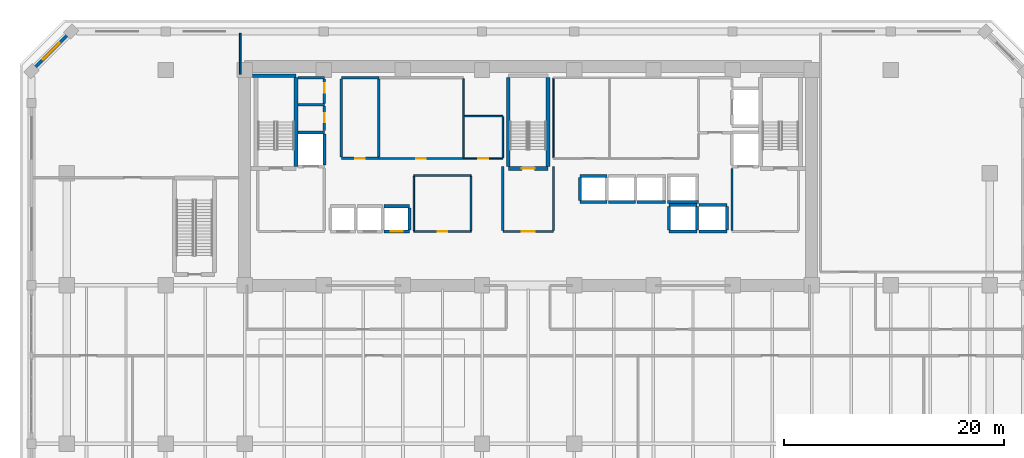
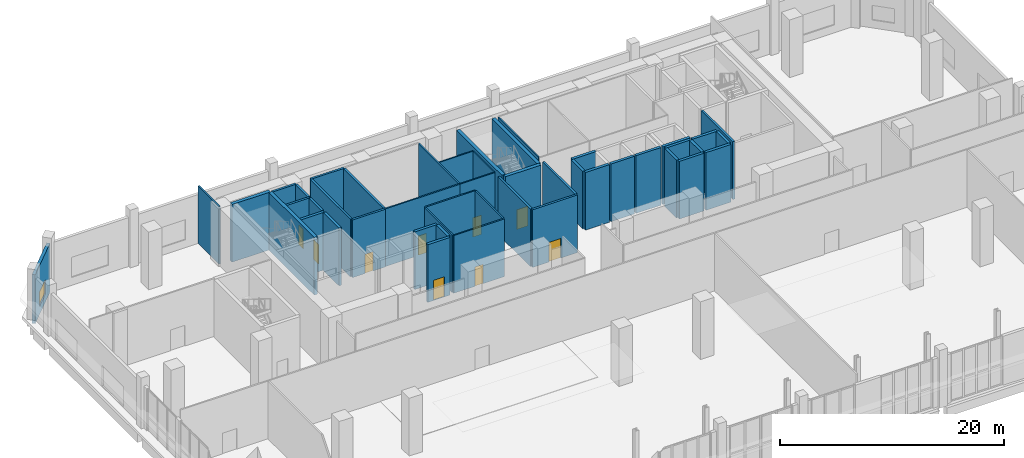
# One storey, part 22 of 29: 47 walls, 9 doors, 1 window, 10 openings.
"""IFC4 building model written with IfcOpenShell, lengths in metres."""

from ifc_helpers import new_model, si_unit, direction, frame, frame_2d, origin, place, context, subcontext, project, spatial, rectangle, extrude, material, layer, layer_set, type_object, element, fill, save


model = new_model("IFC4")

# Units and contexts
model_context = context("Model", 3, precision=1e-05, world=origin(), true_north=direction((0.0, 1.0)))
body_context = subcontext(model_context, "Body", "Model", "MODEL_VIEW")
ifc_project = project(units=[si_unit("LENGTHUNIT", "METRE"), si_unit("AREAUNIT", "SQUARE_METRE"), si_unit("VOLUMEUNIT", "CUBIC_METRE"), si_unit("PLANEANGLEUNIT", "RADIAN"), si_unit("MASSUNIT", "GRAM", prefix="KILO")], contexts=[model_context])

# Site, building, storey
site_placement = place(None, origin())
site = spatial("IfcSite", under=ifc_project, at=site_placement, CompositionType="ELEMENT")
building_placement = place(site_placement, origin())
building = spatial("IfcBuilding", under=site, at=building_placement, Name="Kaelvorn Grand Hotel", CompositionType="ELEMENT")
storey_placement = place(building_placement, frame((0.0, 0.0, 19.39990234375)))
storey = spatial("IfcBuildingStorey", under=building, at=storey_placement, Name="L03", CompositionType="ELEMENT", Elevation=19.39990234375)

# Wall, opening, window
ifc_material_1 = material(Name="Concrete C40/50", Category="concrete")
ifc_layer_1 = layer(ifc_material_1, 0.300048828125)
ifc_layer_set_1 = layer_set([ifc_layer_1], Name="Concrete C40/50")
wall_type_1 = type_object("IfcWallType", Name="WL-EXT-300-C40", PredefinedType="SOLIDWALL", material=ifc_layer_set_1)
wall_1_placement = place(storey_placement, frame((0.39990234375, 52.5, 0.0), z_axis=(0.0, 0.0, 1.0), x_axis=(-0.707082803744, -0.707130757816, 0.0)))
wall_1 = element("IfcWall", 1, at=wall_1_placement, inside=storey, type_object=wall_type_1, Name="L03 Exterior Architectural Concrete Wall 06", PredefinedType="SOLIDWALL", context=body_context, shape_type="SweptSolid", body=[
    extrude(rectangle(XDim=5.091064453125, YDim=0.300048828125, at=frame_2d((2.54541015625, 0.0))), origin(), (0.0, 0.0, 1.0), 5.330078125),
])
opening_1_placement = place(wall_1_placement, frame((1.49560546875, 0.0, 0.85009765625)))
opening_1 = element("IfcOpeningElement", 2, at=opening_1_placement, cuts=wall_1, Name="Opening W7", PredefinedType="OPENING", context=body_context, shape_type="SweptSolid", body=[
    extrude(rectangle(XDim=2.10009765625, YDim=1.60009765625, at=frame_2d((1.050048828125, 0.800048828125))), frame((0.0, 0.16015625, 0.0), z_axis=(0.0, -1.0, 0.0), x_axis=(1.0, 0.0, 0.0)), (0.0, 0.0, 1.0), 0.320068359375),
])
ifc_material_2 = material(Name="Laminated Low-E Glass", Category="glass")
window_type = type_object("IfcWindowType", Name="WIN-CHM-2100x1600", PartitioningType="SINGLE_PANEL", PredefinedType="WINDOW", material=ifc_material_2)
window_placement = place(opening_1_placement, origin())
window = element("IfcWindow", 3, at=window_placement, inside=storey, type_object=window_type, Name="L03 Chamfered 45-Degree Corner Window NW", OverallHeight=1.60009765625, OverallWidth=2.10009765625, PartitioningType="SINGLE_PANEL", PredefinedType="WINDOW", context=body_context, shape_type="SweptSolid", body=[
    extrude(rectangle(XDim=2.10009765625, YDim=1.60009765625, at=frame_2d((1.050048828125, 0.800048828125))), frame((0.0, 0.030029296875, 0.0), z_axis=(0.0, -1.0, 0.0), x_axis=(1.0, 0.0, 0.0)), (0.0, 0.0, 1.0), 0.06005859375),
])
fill(opening_1, window)

# Wall, opening, door
ifc_material_3 = material(Name="Moisture-Resistant Tile & Stud Board")
ifc_layer_2 = layer(ifc_material_3, 0.125)
ifc_layer_set_2 = layer_set([ifc_layer_2], Name="Moisture-Resistant Tile & Stud Board")
wall_type_2 = type_object("IfcWallType", Name="WL-PART-125-WET", PredefinedType="PARTITIONING", material=ifc_layer_set_2)
wall_2_placement = place(storey_placement, frame((36.110107421875, 40.949951171875, 0.0), z_axis=(0.0, 0.0, 1.0), x_axis=(1.0, 0.0, 0.0)))
wall_2 = element("IfcWall", 4, at=wall_2_placement, inside=storey, type_object=wall_type_2, Name="L03 Accessible WC S Partition", PredefinedType="PARTITIONING", context=body_context, shape_type="SweptSolid", body=[
    extrude(rectangle(XDim=3.58984375, YDim=0.125, at=frame_2d((1.794921875, 0.0))), origin(), (0.0, 0.0, 1.0), 6.280029296875),
])
opening_2_placement = place(wall_2_placement, frame((1.340087890625, 0.0, 0.0)))
opening_2 = element("IfcOpeningElement", 5, at=opening_2_placement, cuts=wall_2, Name="Opening DI4", PredefinedType="OPENING", context=body_context, shape_type="SweptSolid", body=[
    extrude(rectangle(XDim=0.89990234375, YDim=2.10009765625, at=frame_2d((0.449951171875, 1.050048828125))), frame((0.0, 0.072509765625, 0.0), z_axis=(0.0, -1.0, 0.0), x_axis=(1.0, 0.0, 0.0)), (0.0, 0.0, 1.0), 0.14501953125),
])
ifc_material_4 = material(Name="Timber Veneer Leaf", Category="wood")
door_type_1 = type_object("IfcDoorType", Name="DR-INT-BATH-900x2100", OperationType="NOTDEFINED", PredefinedType="DOOR", material=ifc_material_4)
door_1_placement = place(opening_2_placement, origin())
door_1 = element("IfcDoor", 6, at=door_1_placement, inside=storey, type_object=door_type_1, Name="L03 Accessible WC Door", OperationType="SINGLE_SWING_LEFT", OverallHeight=2.10009765625, OverallWidth=0.89990234375, PredefinedType="DOOR", context=body_context, shape_type="SweptSolid", body=[
    extrude(rectangle(XDim=0.89990234375, YDim=2.10009765625, at=frame_2d((0.449951171875, 1.050048828125))), frame((0.0, 0.02490234375, 0.0), z_axis=(0.0, -1.0, 0.0), x_axis=(1.0, 0.0, 0.0)), (0.0, 0.0, 1.0), 0.050048828125),
])
fill(opening_2, door_1)

# Walls
wall_3_placement = place(storey_placement, frame((36.179931640625, 44.800048828125, 0.0), z_axis=(0.0, 0.0, 1.0), x_axis=(1.0, 0.0, 0.0)))
element("IfcWall", 7, at=wall_3_placement, inside=storey, type_object=wall_type_2, Name="L03 Accessible WC N Partition", PredefinedType="PARTITIONING", context=body_context, shape_type="SweptSolid", body=[
    extrude(rectangle(XDim=3.52001953125, YDim=0.125, at=frame_2d((1.760009765625, 0.0))), origin(), (0.0, 0.0, 1.0), 6.280029296875),
])
wall_4_placement = place(storey_placement, frame((39.699951171875, 41.017578125, 0.0), z_axis=(0.0, 0.0, 1.0), x_axis=(0.0, 1.0, 0.0)))
element("IfcWall", 8, at=wall_4_placement, inside=storey, type_object=wall_type_2, Name="L03 Accessible WC E Partition", PredefinedType="PARTITIONING", context=body_context, shape_type="SweptSolid", body=[
    extrude(rectangle(XDim=3.71484375, YDim=0.125, at=frame_2d((1.857421875, 0.0))), origin(), (0.0, 0.0, 1.0), 6.280029296875),
])
wall_5_placement = place(storey_placement, frame((44.300048828125, 41.017578125, 0.0), z_axis=(0.0, 0.0, 1.0), x_axis=(0.0, 1.0, 0.0)))
element("IfcWall", 9, at=wall_5_placement, inside=storey, type_object=wall_type_2, Name="L03 Male Toilets W Partition", PredefinedType="PARTITIONING", context=body_context, shape_type="SweptSolid", body=[
    extrude(rectangle(XDim=7.21484375, YDim=0.125, at=frame_2d((3.607421875, 0.0))), origin(), (0.0, 0.0, 1.0), 6.280029296875),
])

# Wall, opening, door
ifc_material_5 = material(Name="Acoustic Gypsum & Stud Partition")
ifc_layer_3 = layer(ifc_material_5, 0.14990234375)
ifc_layer_set_3 = layer_set([ifc_layer_3], Name="Acoustic Gypsum & Stud Partition")
wall_type_3 = type_object("IfcWallType", Name="WL-PART-150-EI60", PredefinedType="PARTITIONING", material=ifc_layer_set_3)
wall_6_placement = place(storey_placement, frame((31.60009765625, 34.300048828125, 0.0), z_axis=(0.0, 0.0, 1.0), x_axis=(1.0, 0.0, 0.0)))
wall_6 = element("IfcWall", 10, at=wall_6_placement, inside=storey, type_object=wall_type_3, Name="L03 Core Telecoms & BMS Server Room S Partition", PredefinedType="PARTITIONING", context=body_context, shape_type="SweptSolid", body=[
    extrude(rectangle(XDim=5.199951171875, YDim=0.14990234375, at=frame_2d((2.60009765625, 0.0))), origin(), (0.0, 0.0, 1.0), 6.280029296875),
])
opening_3_placement = place(wall_6_placement, frame((2.175048828125, 0.0, 0.0)))
opening_3 = element("IfcOpeningElement", 11, at=opening_3_placement, cuts=wall_6, Name="Opening DI7", PredefinedType="OPENING", context=body_context, shape_type="SweptSolid", body=[
    extrude(rectangle(XDim=0.85009765625, YDim=2.10009765625, at=frame_2d((0.425048828125, 1.050048828125))), frame((0.0, 0.0849609375, 0.0), z_axis=(0.0, -1.0, 0.0), x_axis=(1.0, 0.0, 0.0)), (0.0, 0.0, 1.0), 0.169921875),
])
ifc_material_6 = material(Name="Powder-Coated Steel Leaf", Category="steel")
door_type_2 = type_object("IfcDoorType", Name="DR-INT-RISER-850x2100", OperationType="NOTDEFINED", PredefinedType="DOOR", material=ifc_material_6)
door_2_placement = place(opening_3_placement, origin())
door_2 = element("IfcDoor", 12, at=door_2_placement, inside=storey, type_object=door_type_2, Name="L03 Core Telecoms & BMS Server Room Door", OperationType="SINGLE_SWING_RIGHT", OverallHeight=2.10009765625, OverallWidth=0.85009765625, PredefinedType="DOOR", context=body_context, shape_type="SweptSolid", body=[
    extrude(rectangle(XDim=0.85009765625, YDim=2.10009765625, at=frame_2d((0.425048828125, 1.050048828125))), frame((0.0, 0.02490234375, 0.0), z_axis=(0.0, -1.0, 0.0), x_axis=(1.0, 0.0, 0.0)), (0.0, 0.0, 1.0), 0.050048828125),
])
fill(opening_3, door_2)

# Walls
wall_7_placement = place(storey_placement, frame((31.60009765625, 39.39990234375, 0.0), z_axis=(0.0, 0.0, 1.0), x_axis=(1.0, 0.0, 0.0)))
element("IfcWall", 13, at=wall_7_placement, inside=storey, type_object=wall_type_3, Name="L03 Core Telecoms & BMS Server Room N Partition", PredefinedType="PARTITIONING", context=body_context, shape_type="SweptSolid", body=[
    extrude(rectangle(XDim=5.199951171875, YDim=0.14990234375, at=frame_2d((2.60009765625, 0.0))), origin(), (0.0, 0.0, 1.0), 6.280029296875),
])
for number, where, z_axis, x_axis, name in (
    (14, (31.60009765625, 34.3798828125, 0.0), (0.0, 0.0, 1.0), (0.0, 1.0, 0.0), "L03 Core Telecoms & BMS Server Room W Partition"),
    (15, (36.800048828125, 34.3798828125, 0.0), (0.0, 0.0, 1.0), (0.0, 1.0, 0.0), "L03 Core Telecoms & BMS Server Room E Partition"),
):
    element("IfcWall", number, at=place(storey_placement, frame(where, z_axis=z_axis, x_axis=x_axis)), inside=storey, type_object=wall_type_3, Name=name, PredefinedType="PARTITIONING", context=body_context, shape_type="SweptSolid", body=[
        extrude(rectangle(XDim=4.940185546875, YDim=0.14990234375, at=frame_2d((2.47021484375, 0.0))), origin(), (0.0, 0.0, 1.0), 6.280029296875),
    ])

# Wall, opening, door
wall_8_placement = place(storey_placement, frame((28.409912109375, 40.949951171875, 0.0), z_axis=(0.0, 0.0, 1.0), x_axis=(1.0, 0.0, 0.0)))
wall_8 = element("IfcWall", 16, at=wall_8_placement, inside=storey, type_object=wall_type_3, Name="L03 Central BOH Supply Store S Partition", PredefinedType="PARTITIONING", context=body_context, shape_type="SweptSolid", body=[
    extrude(rectangle(XDim=7.690185546875, YDim=0.14990234375, at=frame_2d((3.84521484375, 0.0))), origin(), (0.0, 0.0, 1.0), 6.280029296875),
])
opening_4_placement = place(wall_8_placement, frame((3.4150390625, 0.0, 0.0)))
opening_4 = element("IfcOpeningElement", 17, at=opening_4_placement, cuts=wall_8, Name="Opening DI7", PredefinedType="OPENING", context=body_context, shape_type="SweptSolid", body=[
    extrude(rectangle(XDim=0.85009765625, YDim=2.10009765625, at=frame_2d((0.425048828125, 1.050048828125))), frame((0.0, 0.0849609375, 0.0), z_axis=(0.0, -1.0, 0.0), x_axis=(1.0, 0.0, 0.0)), (0.0, 0.0, 1.0), 0.169921875),
])
door_3_placement = place(opening_4_placement, origin())
door_3 = element("IfcDoor", 18, at=door_3_placement, inside=storey, type_object=door_type_2, Name="L03 Central BOH Supply Store Door", OperationType="SINGLE_SWING_RIGHT", OverallHeight=2.10009765625, OverallWidth=0.85009765625, PredefinedType="DOOR", context=body_context, shape_type="SweptSolid", body=[
    extrude(rectangle(XDim=0.85009765625, YDim=2.10009765625, at=frame_2d((0.425048828125, 1.050048828125))), frame((0.0, 0.02490234375, 0.0), z_axis=(0.0, -1.0, 0.0), x_axis=(1.0, 0.0, 0.0)), (0.0, 0.0, 1.0), 0.050048828125),
])
fill(opening_4, door_3)

# Walls
wall_9_placement = place(storey_placement, frame((36.10009765625, 41.030029296875, 0.0), z_axis=(0.0, 0.0, 1.0), x_axis=(0.0, 1.0, 0.0)))
element("IfcWall", 19, at=wall_9_placement, inside=storey, type_object=wall_type_3, Name="L03 Central BOH Supply Store E Partition", PredefinedType="PARTITIONING", context=body_context, shape_type="SweptSolid", body=[
    extrude(rectangle(XDim=7.18994140625, YDim=0.14990234375, at=frame_2d((3.594970703125, 0.0))), origin(), (0.0, 0.0, 1.0), 6.280029296875),
])
wall_10_placement = place(storey_placement, frame((15.800048828125, 48.610107421875, 0.0), z_axis=(0.0, 0.0, 1.0), x_axis=(0.0, 1.0, 0.0)))
element("IfcWall", 20, at=wall_10_placement, inside=storey, type_object=wall_type_3, Name="L03 L03 North-West Banquet Support & Admin Office E Partition", PredefinedType="PARTITIONING", context=body_context, shape_type="SweptSolid", body=[
    extrude(rectangle(XDim=3.73486328125, YDim=0.14990234375, at=frame_2d((1.867431640625, 0.0))), origin(), (0.0, 0.0, 1.0), 6.280029296875),
])
ifc_layer_4 = layer(ifc_material_1, 0.219970703125)
ifc_layer_set_4 = layer_set([ifc_layer_4], Name="Concrete C40/50")
wall_type_4 = type_object("IfcWallType", Name="WL-PART-220-EI120", PredefinedType="PARTITIONING", material=ifc_layer_set_4)
wall_11_placement = place(storey_placement, frame((60.550048828125, 34.4150390625, 0.0), z_axis=(0.0, 0.0, 1.0), x_axis=(0.0, 1.0, 0.0)))
element("IfcWall", 21, at=wall_11_placement, inside=storey, type_object=wall_type_4, Name="L03 Firefighting Lift Lobby 2 W Partition", PredefinedType="PARTITIONING", context=body_context, shape_type="SweptSolid", body=[
    extrude(rectangle(XDim=5.639892578125, YDim=0.219970703125, at=frame_2d((2.81982421875, 0.0))), origin(), (0.0, 0.0, 1.0), 6.280029296875),
])

# Wall, opening, door
wall_12_placement = place(storey_placement, frame((39.699951171875, 34.300048828125, 0.0), z_axis=(0.0, 0.0, 1.0), x_axis=(1.0, 0.0, 0.0)))
wall_12 = element("IfcWall", 22, at=wall_12_placement, inside=storey, type_object=wall_type_4, Name="L03 Central Stair Escape Vestibule S Partition", PredefinedType="PARTITIONING", context=body_context, shape_type="SweptSolid", body=[
    extrude(rectangle(XDim=4.60009765625, YDim=0.219970703125, at=frame_2d((2.300048828125, 0.0))), origin(), (0.0, 0.0, 1.0), 6.280029296875),
])
opening_5_placement = place(wall_12_placement, frame((1.699951171875, 0.0, 0.0)))
opening_5 = element("IfcOpeningElement", 23, at=opening_5_placement, cuts=wall_12, Name="Opening DI2", PredefinedType="OPENING", context=body_context, shape_type="SweptSolid", body=[
    extrude(rectangle(XDim=1.199951171875, YDim=2.14990234375, at=frame_2d((0.60009765625, 1.074951171875))), frame((0.0, 0.1201171875, 0.0), z_axis=(0.0, -1.0, 0.0), x_axis=(1.0, 0.0, 0.0)), (0.0, 0.0, 1.0), 0.239990234375),
])
ifc_material_7 = material(Name="Timber Veneer Fire Leaf", Category="wood")
door_type_3 = type_object("IfcDoorType", Name="DR-INT-FFLOB-1200x2150", OperationType="NOTDEFINED", PredefinedType="DOOR", material=ifc_material_7)
door_4_placement = place(opening_5_placement, origin())
door_4 = element("IfcDoor", 24, at=door_4_placement, inside=storey, type_object=door_type_3, Name="L03 Central Stair Escape Vestibule Door", OperationType="SINGLE_SWING_RIGHT", OverallHeight=2.14990234375, OverallWidth=1.199951171875, PredefinedType="DOOR", context=body_context, shape_type="SweptSolid", body=[
    extrude(rectangle(XDim=1.199951171875, YDim=2.14990234375, at=frame_2d((0.60009765625, 1.074951171875))), frame((0.0, 0.02490234375, 0.0), z_axis=(0.0, -1.0, 0.0), x_axis=(1.0, 0.0, 0.0)), (0.0, 0.0, 1.0), 0.050048828125),
])
fill(opening_5, door_4)

# Walls
for number, where, z_axis, x_axis, name in (
    (25, (39.699951171875, 34.4150390625, 0.0), (0.0, 0.0, 1.0), (0.0, 1.0, 0.0), "L03 Central Stair Escape Vestibule W Partition"),
    (26, (44.300048828125, 34.4150390625, 0.0), (0.0, 0.0, 1.0), (0.0, 1.0, 0.0), "L03 Central Stair Escape Vestibule E Partition"),
):
    element("IfcWall", number, at=place(storey_placement, frame(where, z_axis=z_axis, x_axis=x_axis)), inside=storey, type_object=wall_type_4, Name=name, PredefinedType="PARTITIONING", context=body_context, shape_type="SweptSolid", body=[
        extrude(rectangle(XDim=5.784912109375, YDim=0.219970703125, at=frame_2d((2.892578125, 0.0))), origin(), (0.0, 0.0, 1.0), 6.280029296875),
    ])
wall_13_placement = place(storey_placement, frame((21.034912109375, 45.85009765625, 0.0), z_axis=(0.0, 0.0, 1.0), x_axis=(1.0, 0.0, 0.0)))
element("IfcWall", 27, at=wall_13_placement, inside=storey, type_object=wall_type_4, Name="L03 Wet Fire & Plumbing Riser Shaft N Partition", PredefinedType="PARTITIONING", context=body_context, shape_type="SweptSolid", body=[
    extrude(rectangle(XDim=2.4150390625, YDim=0.219970703125, at=frame_2d((1.20751953125, 0.0))), origin(), (0.0, 0.0, 1.0), 6.280029296875),
])

# Wall, opening, door
wall_14_placement = place(storey_placement, frame((23.449951171875, 43.5, 0.0), z_axis=(0.0, 0.0, 1.0), x_axis=(0.0, 1.0, 0.0)))
wall_14 = element("IfcWall", 28, at=wall_14_placement, inside=storey, type_object=wall_type_4, Name="L03 Wet Fire & Plumbing Riser Shaft E Partition", PredefinedType="PARTITIONING", context=body_context, shape_type="SweptSolid", body=[
    extrude(rectangle(XDim=2.235107421875, YDim=0.219970703125, at=frame_2d((1.11767578125, 0.0))), origin(), (0.0, 0.0, 1.0), 6.280029296875),
])
opening_6_placement = place(wall_14_placement, frame((0.72509765625, 0.0, 0.0)))
opening_6 = element("IfcOpeningElement", 29, at=opening_6_placement, cuts=wall_14, Name="Opening DI7", PredefinedType="OPENING", context=body_context, shape_type="SweptSolid", body=[
    extrude(rectangle(XDim=0.85009765625, YDim=2.10009765625, at=frame_2d((0.425048828125, 1.050048828125))), frame((0.0, 0.1201171875, 0.0), z_axis=(0.0, -1.0, 0.0), x_axis=(1.0, 0.0, 0.0)), (0.0, 0.0, 1.0), 0.239990234375),
])
door_5_placement = place(opening_6_placement, origin())
door_5 = element("IfcDoor", 30, at=door_5_placement, inside=storey, type_object=door_type_2, Name="L03 Wet Fire & Plumbing Riser Shaft Door", OperationType="SINGLE_SWING_RIGHT", OverallHeight=2.10009765625, OverallWidth=0.85009765625, PredefinedType="DOOR", context=body_context, shape_type="SweptSolid", body=[
    extrude(rectangle(XDim=0.85009765625, YDim=2.10009765625, at=frame_2d((0.425048828125, 1.050048828125))), frame((0.0, 0.02490234375, 0.0), z_axis=(0.0, -1.0, 0.0), x_axis=(1.0, 0.0, 0.0)), (0.0, 0.0, 1.0), 0.050048828125),
])
fill(opening_6, door_5)

# Wall
wall_15_placement = place(storey_placement, frame((21.034912109375, 48.300048828125, 0.0), z_axis=(0.0, 0.0, 1.0), x_axis=(1.0, 0.0, 0.0)))
element("IfcWall", 31, at=wall_15_placement, inside=storey, type_object=wall_type_4, Name="L03 HV Electrical & Smoke Riser N Partition", PredefinedType="PARTITIONING", context=body_context, shape_type="SweptSolid", body=[
    extrude(rectangle(XDim=2.4150390625, YDim=0.219970703125, at=frame_2d((1.20751953125, 0.0))), origin(), (0.0, 0.0, 1.0), 6.280029296875),
])

# Wall, opening, door
wall_16_placement = place(storey_placement, frame((23.449951171875, 45.965087890625, 0.0), z_axis=(0.0, 0.0, 1.0), x_axis=(0.0, 1.0, 0.0)))
wall_16 = element("IfcWall", 32, at=wall_16_placement, inside=storey, type_object=wall_type_4, Name="L03 HV Electrical & Smoke Riser E Partition", PredefinedType="PARTITIONING", context=body_context, shape_type="SweptSolid", body=[
    extrude(rectangle(XDim=2.219970703125, YDim=0.219970703125, at=frame_2d((1.10986328125, 0.0))), origin(), (0.0, 0.0, 1.0), 6.280029296875),
])
opening_7_placement = place(wall_16_placement, frame((0.9599609375, 0.0, 0.0)))
opening_7 = element("IfcOpeningElement", 33, at=opening_7_placement, cuts=wall_16, Name="Opening DI7", PredefinedType="OPENING", context=body_context, shape_type="SweptSolid", body=[
    extrude(rectangle(XDim=0.85009765625, YDim=2.10009765625, at=frame_2d((0.425048828125, 1.050048828125))), frame((0.0, 0.1201171875, 0.0), z_axis=(0.0, -1.0, 0.0), x_axis=(1.0, 0.0, 0.0)), (0.0, 0.0, 1.0), 0.239990234375),
])
door_6_placement = place(opening_7_placement, origin())
door_6 = element("IfcDoor", 34, at=door_6_placement, inside=storey, type_object=door_type_2, Name="L03 HV Electrical & Smoke Riser Door", OperationType="SINGLE_SWING_LEFT", OverallHeight=2.10009765625, OverallWidth=0.85009765625, PredefinedType="DOOR", context=body_context, shape_type="SweptSolid", body=[
    extrude(rectangle(XDim=0.85009765625, YDim=2.10009765625, at=frame_2d((0.425048828125, 1.050048828125))), frame((0.0, 0.02490234375, 0.0), z_axis=(0.0, -1.0, 0.0), x_axis=(1.0, 0.0, 0.0)), (0.0, 0.0, 1.0), 0.050048828125),
])
fill(opening_7, door_6)

wall_17_placement = place(storey_placement, frame((25.0, 40.949951171875, 0.0), z_axis=(0.0, 0.0, 1.0), x_axis=(1.0, 0.0, 0.0)))
wall_17 = element("IfcWall", 35, at=wall_17_placement, inside=storey, type_object=wall_type_4, Name="L03 Electrical Distribution Room S Partition", PredefinedType="PARTITIONING", context=body_context, shape_type="SweptSolid", body=[
    extrude(rectangle(XDim=3.39990234375, YDim=0.219970703125, at=frame_2d((1.699951171875, 0.0))), origin(), (0.0, 0.0, 1.0), 6.280029296875),
])
opening_8_placement = place(wall_17_placement, frame((1.27490234375, 0.0, 0.0)))
opening_8 = element("IfcOpeningElement", 36, at=opening_8_placement, cuts=wall_17, Name="Opening DI7", PredefinedType="OPENING", context=body_context, shape_type="SweptSolid", body=[
    extrude(rectangle(XDim=0.85009765625, YDim=2.10009765625, at=frame_2d((0.425048828125, 1.050048828125))), frame((0.0, 0.1201171875, 0.0), z_axis=(0.0, -1.0, 0.0), x_axis=(1.0, 0.0, 0.0)), (0.0, 0.0, 1.0), 0.239990234375),
])
door_7_placement = place(opening_8_placement, origin())
door_7 = element("IfcDoor", 37, at=door_7_placement, inside=storey, type_object=door_type_2, Name="L03 Electrical Distribution Room Door", OperationType="SINGLE_SWING_LEFT", OverallHeight=2.10009765625, OverallWidth=0.85009765625, PredefinedType="DOOR", context=body_context, shape_type="SweptSolid", body=[
    extrude(rectangle(XDim=0.85009765625, YDim=2.10009765625, at=frame_2d((0.425048828125, 1.050048828125))), frame((0.0, 0.02490234375, 0.0), z_axis=(0.0, -1.0, 0.0), x_axis=(1.0, 0.0, 0.0)), (0.0, 0.0, 1.0), 0.050048828125),
])
fill(opening_8, door_7)

# Walls
wall_18_placement = place(storey_placement, frame((25.0, 48.300048828125, 0.0), z_axis=(0.0, 0.0, 1.0), x_axis=(1.0, 0.0, 0.0)))
element("IfcWall", 38, at=wall_18_placement, inside=storey, type_object=wall_type_4, Name="L03 Electrical Distribution Room N Partition", PredefinedType="PARTITIONING", context=body_context, shape_type="SweptSolid", body=[
    extrude(rectangle(XDim=3.39990234375, YDim=0.219970703125, at=frame_2d((1.699951171875, 0.0))), origin(), (0.0, 0.0, 1.0), 6.280029296875),
])
for number, where, z_axis, x_axis, name in (
    (39, (25.0, 41.06494140625, 0.0), (0.0, 0.0, 1.0), (0.0, 1.0, 0.0), "L03 Electrical Distribution Room W Partition"),
    (40, (28.39990234375, 41.06494140625, 0.0), (0.0, 0.0, 1.0), (0.0, 1.0, 0.0), "L03 Electrical Distribution Room E Partition"),
):
    element("IfcWall", number, at=place(storey_placement, frame(where, z_axis=z_axis, x_axis=x_axis)), inside=storey, type_object=wall_type_4, Name=name, PredefinedType="PARTITIONING", context=body_context, shape_type="SweptSolid", body=[
        extrude(rectangle(XDim=7.1201171875, YDim=0.219970703125, at=frame_2d((3.56005859375, 0.0))), origin(), (0.0, 0.0, 1.0), 6.280029296875),
    ])

# Wall, opening, door
ifc_material_8 = material(Name="Concrete C50/60", Category="concrete")
ifc_layer_5 = layer(ifc_material_8, 0.280029296875)
ifc_layer_set_5 = layer_set([ifc_layer_5], Name="Concrete C50/60")
wall_type_5 = type_object("IfcWallType", Name="WL-SHAFT-280-C50", PredefinedType="SHEAR", material=ifc_layer_set_5)
wall_19_placement = place(storey_placement, frame((28.89990234375, 34.300048828125, 0.0), z_axis=(0.0, 0.0, 1.0), x_axis=(1.0, 0.0, 0.0)))
wall_19 = element("IfcWall", 41, at=wall_19_placement, inside=storey, type_object=wall_type_5, Name="L03 Lift PL-L3 Shaft South Wall", PredefinedType="SHEAR", context=body_context, shape_type="SweptSolid", body=[
    extrude(rectangle(XDim=2.300048828125, YDim=0.280029296875, at=frame_2d((1.14990234375, 0.0))), origin(), (0.0, 0.0, 1.0), 6.280029296875),
])
opening_9_placement = place(wall_19_placement, frame((0.60009765625, 0.0, 0.0)))
opening_9 = element("IfcOpeningElement", 42, at=opening_9_placement, cuts=wall_19, Name="Opening LD-PL-L3", PredefinedType="OPENING", context=body_context, shape_type="SweptSolid", body=[
    extrude(rectangle(XDim=1.10009765625, YDim=2.199951171875, at=frame_2d((0.550048828125, 1.10009765625))), frame((0.0, 0.14990234375, 0.0), z_axis=(0.0, -1.0, 0.0), x_axis=(1.0, 0.0, 0.0)), (0.0, 0.0, 1.0), 0.300048828125),
])
ifc_material_9 = material(Name="Stainless Steel", Category="steel")
door_type_4 = type_object("IfcDoorType", Name="DR-LIFT-PASS-1100x2200", OperationType="DOUBLE_DOOR_SLIDING", PredefinedType="DOOR", material=ifc_material_9)
door_8_placement = place(opening_9_placement, origin())
door_8 = element("IfcDoor", 43, at=door_8_placement, inside=storey, type_object=door_type_4, Name="L03 Lift PL-L3 Sliding Landing Door LD-PL-L3", OperationType="DOUBLE_DOOR_SLIDING", OverallHeight=2.199951171875, OverallWidth=1.10009765625, PredefinedType="DOOR", context=body_context, shape_type="SweptSolid", body=[
    extrude(rectangle(XDim=1.10009765625, YDim=2.199951171875, at=frame_2d((0.550048828125, 1.10009765625))), frame((0.0, 0.02490234375, 0.0), z_axis=(0.0, -1.0, 0.0), x_axis=(1.0, 0.0, 0.0)), (0.0, 0.0, 1.0), 0.050048828125),
])
fill(opening_9, door_8)

# Walls
wall_20_placement = place(storey_placement, frame((28.89990234375, 36.60009765625, 0.0), z_axis=(0.0, 0.0, 1.0), x_axis=(1.0, 0.0, 0.0)))
element("IfcWall", 44, at=wall_20_placement, inside=storey, type_object=wall_type_5, Name="L03 Lift PL-L3 Shaft North Wall", PredefinedType="SHEAR", context=body_context, shape_type="SweptSolid", body=[
    extrude(rectangle(XDim=2.300048828125, YDim=0.280029296875, at=frame_2d((1.14990234375, 0.0))), origin(), (0.0, 0.0, 1.0), 6.280029296875),
])
wall_21_placement = place(storey_placement, frame((31.199951171875, 34.445068359375, 0.0), z_axis=(0.0, 0.0, 1.0), x_axis=(0.0, 1.0, 0.0)))
element("IfcWall", 45, at=wall_21_placement, inside=storey, type_object=wall_type_5, Name="L03 Lift PL-L3 Shaft East Wall", PredefinedType="SHEAR", context=body_context, shape_type="SweptSolid", body=[
    extrude(rectangle(XDim=2.010009765625, YDim=0.280029296875, at=frame_2d((1.0048828125, 0.0))), origin(), (0.0, 0.0, 1.0), 6.280029296875),
])
for number, where, z_axis, x_axis, name in (
    (46, (46.699951171875, 37.0, 0.0), (0.0, 0.0, 1.0), (1.0, 0.0, 0.0), "L03 Lift SL-1 Shaft South Wall"),
    (47, (46.699951171875, 39.35009765625, 0.0), (0.0, 0.0, 1.0), (1.0, 0.0, 0.0), "L03 Lift SL-1 Shaft North Wall"),
):
    element("IfcWall", number, at=place(storey_placement, frame(where, z_axis=z_axis, x_axis=x_axis)), inside=storey, type_object=wall_type_5, Name=name, PredefinedType="SHEAR", context=body_context, shape_type="SweptSolid", body=[
        extrude(rectangle(XDim=2.449951171875, YDim=0.280029296875, at=frame_2d((1.22509765625, 0.0))), origin(), (0.0, 0.0, 1.0), 6.280029296875),
    ])
wall_22_placement = place(storey_placement, frame((46.699951171875, 37.14501953125, 0.0), z_axis=(0.0, 0.0, 1.0), x_axis=(0.0, 1.0, 0.0)))
element("IfcWall", 48, at=wall_22_placement, inside=storey, type_object=wall_type_5, Name="L03 Lift SL-1 Shaft West Wall", PredefinedType="SHEAR", context=body_context, shape_type="SweptSolid", body=[
    extrude(rectangle(XDim=2.06005859375, YDim=0.280029296875, at=frame_2d((1.030029296875, 0.0))), origin(), (0.0, 0.0, 1.0), 6.280029296875),
])
wall_23_placement = place(storey_placement, frame((49.300048828125, 37.0, 0.0), z_axis=(0.0, 0.0, 1.0), x_axis=(1.0, 0.0, 0.0)))
element("IfcWall", 49, at=wall_23_placement, inside=storey, type_object=wall_type_5, Name="L03 Lift SL-2 Shaft South Wall", PredefinedType="SHEAR", context=body_context, shape_type="SweptSolid", body=[
    extrude(rectangle(XDim=2.449951171875, YDim=0.280029296875, at=frame_2d((1.22509765625, 0.0))), origin(), (0.0, 0.0, 1.0), 6.280029296875),
])
wall_24_placement = place(storey_placement, frame((51.89990234375, 37.0, 0.0), z_axis=(0.0, 0.0, 1.0), x_axis=(1.0, 0.0, 0.0)))
element("IfcWall", 50, at=wall_24_placement, inside=storey, type_object=wall_type_5, Name="L03 Lift SL-3 Shaft South Wall", PredefinedType="SHEAR", context=body_context, shape_type="SweptSolid", body=[
    extrude(rectangle(XDim=2.590087890625, YDim=0.280029296875, at=frame_2d((1.294921875, 0.0))), origin(), (0.0, 0.0, 1.0), 6.280029296875),
])
for number, where, z_axis, x_axis, name in (
    (51, (54.800048828125, 34.300048828125, 0.0), (0.0, 0.0, 1.0), (1.0, 0.0, 0.0), "L03 Lift OL-1 Shaft South Wall"),
    (52, (54.800048828125, 36.699951171875, 0.0), (0.0, 0.0, 1.0), (1.0, 0.0, 0.0), "L03 Lift OL-1 Shaft North Wall"),
):
    element("IfcWall", number, at=place(storey_placement, frame(where, z_axis=z_axis, x_axis=x_axis)), inside=storey, type_object=wall_type_5, Name=name, PredefinedType="SHEAR", context=body_context, shape_type="SweptSolid", body=[
        extrude(rectangle(XDim=2.550048828125, YDim=0.280029296875, at=frame_2d((1.27490234375, 0.0))), origin(), (0.0, 0.0, 1.0), 6.280029296875),
    ])
for number, where, z_axis, x_axis, name in (
    (53, (54.800048828125, 34.445068359375, 0.0), (0.0, 0.0, 1.0), (0.0, 1.0, 0.0), "L03 Lift OL-1 Shaft West Wall"),
    (54, (57.35009765625, 34.445068359375, 0.0), (0.0, 0.0, 1.0), (0.0, 1.0, 0.0), "L03 Lift OL-1 Shaft East Wall"),
):
    element("IfcWall", number, at=place(storey_placement, frame(where, z_axis=z_axis, x_axis=x_axis)), inside=storey, type_object=wall_type_5, Name=name, PredefinedType="SHEAR", context=body_context, shape_type="SweptSolid", body=[
        extrude(rectangle(XDim=2.10986328125, YDim=0.280029296875, at=frame_2d((1.054931640625, 0.0))), origin(), (0.0, 0.0, 1.0), 6.280029296875),
    ])
for number, where, z_axis, x_axis, name in (
    (55, (57.550048828125, 34.300048828125, 0.0), (0.0, 0.0, 1.0), (1.0, 0.0, 0.0), "L03 Lift OL-2 Shaft South Wall"),
    (56, (57.550048828125, 36.699951171875, 0.0), (0.0, 0.0, 1.0), (1.0, 0.0, 0.0), "L03 Lift OL-2 Shaft North Wall"),
):
    element("IfcWall", number, at=place(storey_placement, frame(where, z_axis=z_axis, x_axis=x_axis)), inside=storey, type_object=wall_type_5, Name=name, PredefinedType="SHEAR", context=body_context, shape_type="SweptSolid", body=[
        extrude(rectangle(XDim=2.550048828125, YDim=0.280029296875, at=frame_2d((1.27490234375, 0.0))), origin(), (0.0, 0.0, 1.0), 6.280029296875),
    ])
wall_25_placement = place(storey_placement, frame((60.10009765625, 34.445068359375, 0.0), z_axis=(0.0, 0.0, 1.0), x_axis=(0.0, 1.0, 0.0)))
element("IfcWall", 57, at=wall_25_placement, inside=storey, type_object=wall_type_5, Name="L03 Lift OL-2 Shaft East Wall", PredefinedType="SHEAR", context=body_context, shape_type="SweptSolid", body=[
    extrude(rectangle(XDim=2.10986328125, YDim=0.280029296875, at=frame_2d((1.054931640625, 0.0))), origin(), (0.0, 0.0, 1.0), 6.280029296875),
])
wall_26_placement = place(storey_placement, frame((54.659912109375, 37.0, 0.0), z_axis=(0.0, 0.0, 1.0), x_axis=(1.0, 0.0, 0.0)))
element("IfcWall", 58, at=wall_26_placement, inside=storey, type_object=wall_type_5, Name="L03 Lift OL-3 Shaft South Wall", PredefinedType="SHEAR", context=body_context, shape_type="SweptSolid", body=[
    extrude(rectangle(XDim=2.830078125, YDim=0.280029296875, at=frame_2d((1.4150390625, 0.0))), origin(), (0.0, 0.0, 1.0), 6.280029296875),
])
wall_27_placement = place(storey_placement, frame((21.034912109375, 43.300048828125, 0.0), z_axis=(0.0, 0.0, 1.0), x_axis=(1.0, 0.0, 0.0)))
element("IfcWall", 59, at=wall_27_placement, inside=storey, type_object=wall_type_5, Name="L03 Lift FFL1 Shaft North Wall", PredefinedType="SHEAR", context=body_context, shape_type="SweptSolid", body=[
    extrude(rectangle(XDim=2.4150390625, YDim=0.280029296875, at=frame_2d((1.20751953125, 0.0))), origin(), (0.0, 0.0, 1.0), 6.280029296875),
])
wall_28_placement = place(storey_placement, frame((23.449951171875, 40.344970703125, 0.0), z_axis=(0.0, 0.0, 1.0), x_axis=(0.0, 1.0, 0.0)))
element("IfcWall", 60, at=wall_28_placement, inside=storey, type_object=wall_type_5, Name="L03 Lift FFL1 Shaft East Wall", PredefinedType="SHEAR", context=body_context, shape_type="SweptSolid", body=[
    extrude(rectangle(XDim=2.81005859375, YDim=0.280029296875, at=frame_2d((1.405029296875, 0.0))), origin(), (0.0, 0.0, 1.0), 6.280029296875),
])
ifc_material_10 = material(Name="Concrete C60/75", Category="concrete")
ifc_layer_6 = layer(ifc_material_10, 0.35009765625)
ifc_layer_set_6 = layer_set([ifc_layer_6], Name="Concrete C60/75")
wall_type_6 = type_object("IfcWallType", Name="WL-SHAFT-350-C60", PredefinedType="SHEAR", material=ifc_layer_set_6)
wall_29_placement = place(storey_placement, frame((16.905029296875, 48.47509765625, 0.0), z_axis=(0.0, 0.0, 1.0), x_axis=(1.0, 0.0, 0.0)))
element("IfcWall", 61, at=wall_29_placement, inside=storey, type_object=wall_type_6, Name="L03 ST1 Stair Shaft North Wall", PredefinedType="SHEAR", context=body_context, shape_type="SweptSolid", body=[
    extrude(rectangle(XDim=3.949951171875, YDim=0.35009765625, at=frame_2d((1.97509765625, 0.0))), origin(), (0.0, 0.0, 1.0), 6.280029296875),
])
wall_30_placement = place(storey_placement, frame((20.85498046875, 40.205078125, 0.0), z_axis=(0.0, 0.0, 1.0), x_axis=(0.0, 1.0, 0.0)))
element("IfcWall", 62, at=wall_30_placement, inside=storey, type_object=wall_type_6, Name="L03 ST1 Stair Shaft East Wall", PredefinedType="SHEAR", context=body_context, shape_type="SweptSolid", body=[
    extrude(rectangle(XDim=8.08984375, YDim=0.35009765625, at=frame_2d((4.044921875, 0.0))), origin(), (0.0, 0.0, 1.0), 6.280029296875),
])

# Wall, opening, door
wall_31_placement = place(storey_placement, frame((40.18505859375, 40.02490234375, 0.0), z_axis=(0.0, 0.0, 1.0), x_axis=(1.0, 0.0, 0.0)))
wall_31 = element("IfcWall", 63, at=wall_31_placement, inside=storey, type_object=wall_type_6, Name="L03 ST2 Stair Shaft South Wall", PredefinedType="SHEAR", context=body_context, shape_type="SweptSolid", body=[
    extrude(rectangle(XDim=3.6298828125, YDim=0.35009765625, at=frame_2d((1.81494140625, 0.0))), origin(), (0.0, 0.0, 1.0), 6.280029296875),
])
opening_10_placement = place(wall_31_placement, frame((1.239990234375, 0.0, 0.0)))
opening_10 = element("IfcOpeningElement", 64, at=opening_10_placement, cuts=wall_31, Name="Opening DI1", PredefinedType="OPENING", context=body_context, shape_type="SweptSolid", body=[
    extrude(rectangle(XDim=1.14990234375, YDim=2.14990234375, at=frame_2d((0.574951171875, 1.074951171875))), frame((0.0, 0.18505859375, 0.0), z_axis=(0.0, -1.0, 0.0), x_axis=(1.0, 0.0, 0.0)), (0.0, 0.0, 1.0), 0.3701171875),
])
door_type_5 = type_object("IfcDoorType", Name="DR-INT-STAIR-1150x2150", OperationType="NOTDEFINED", PredefinedType="DOOR", material=ifc_material_7)
door_9_placement = place(opening_10_placement, origin())
door_9 = element("IfcDoor", 65, at=door_9_placement, inside=storey, type_object=door_type_5, Name="L03 ST2 Exit Stair Fire Door", OperationType="SINGLE_SWING_LEFT", OverallHeight=2.14990234375, OverallWidth=1.14990234375, PredefinedType="DOOR", context=body_context, shape_type="SweptSolid", body=[
    extrude(rectangle(XDim=1.14990234375, YDim=2.14990234375, at=frame_2d((0.574951171875, 1.074951171875))), frame((0.0, 0.02490234375, 0.0), z_axis=(0.0, -1.0, 0.0), x_axis=(1.0, 0.0, 0.0)), (0.0, 0.0, 1.0), 0.050048828125),
])
fill(opening_10, door_9)

# Walls
for number, where, z_axis, x_axis, name in (
    (66, (40.18505859375, 40.205078125, 0.0), (0.0, 0.0, 1.0), (0.0, 1.0, 0.0), "L03 ST2 Stair Shaft West Wall"),
    (67, (43.81494140625, 40.205078125, 0.0), (0.0, 0.0, 1.0), (0.0, 1.0, 0.0), "L03 ST2 Stair Shaft East Wall"),
):
    element("IfcWall", number, at=place(storey_placement, frame(where, z_axis=z_axis, x_axis=x_axis)), inside=storey, type_object=wall_type_6, Name=name, PredefinedType="SHEAR", context=body_context, shape_type="SweptSolid", body=[
        extrude(rectangle(XDim=8.08984375, YDim=0.35009765625, at=frame_2d((4.044921875, 0.0))), origin(), (0.0, 0.0, 1.0), 6.280029296875),
    ])

save(model, "model.ifc")
